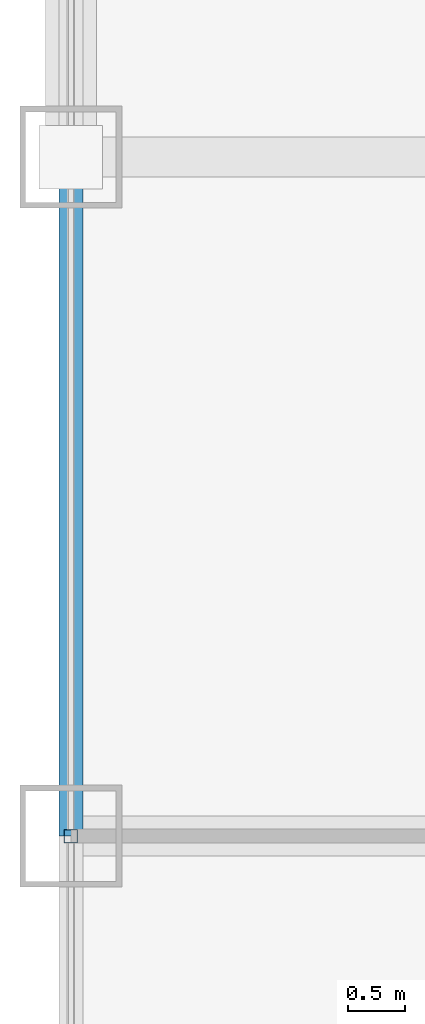
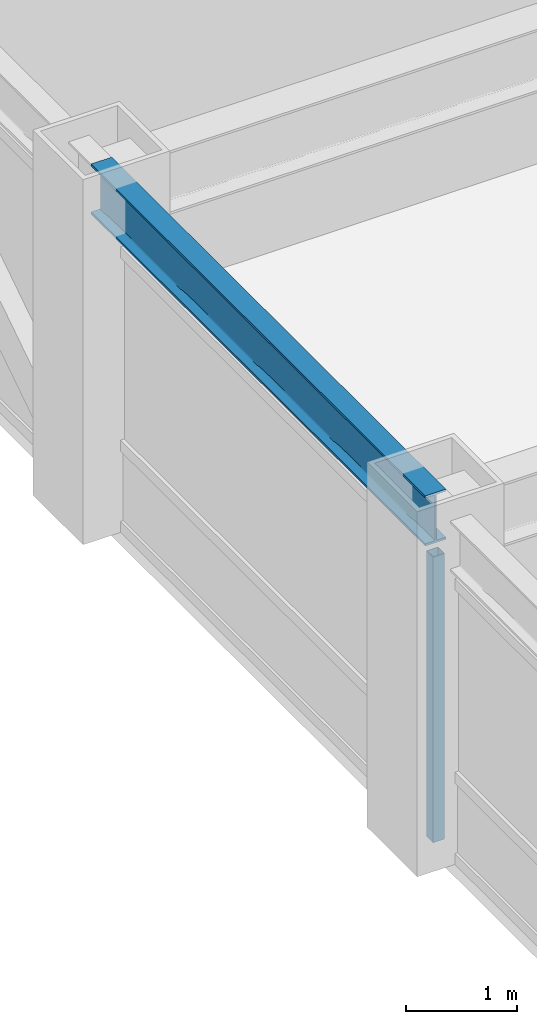
# One storey, part 6 of 27: 1 beam, 1 member, 1 element without a shape of its own.
"""IFC4 building model written with IfcOpenShell, lengths in metres."""

from ifc_helpers import new_model, si_unit, direction, frame, origin, origin_2d, place, context, subcontext, project, spatial, hollow_rectangle, i_section, extrude, source, transform, mapped, material, material_profile, profile_set, type_object, element, aggregate, save


model = new_model("IFC4")

# Units and contexts
model_context = context("Model", 3, precision=1e-05, world=origin(), true_north=direction((0.0, 1.0)))
body_context = subcontext(model_context, "Body", "Model", "MODEL_VIEW")
ifc_project = project(units=[si_unit("LENGTHUNIT", "METRE"), si_unit("AREAUNIT", "SQUARE_METRE"), si_unit("VOLUMEUNIT", "CUBIC_METRE"), si_unit("PLANEANGLEUNIT", "RADIAN"), si_unit("MASSUNIT", "GRAM", prefix="KILO")], contexts=[model_context])

# Site, building, storey
site_placement = place(None, origin())
site = spatial("IfcSite", under=ifc_project, at=site_placement, CompositionType="ELEMENT")
building_placement = place(site_placement, origin())
building = spatial("IfcBuilding", under=site, at=building_placement, Name="Khorayat Bourse Tower", CompositionType="ELEMENT")
storey_placement = place(building_placement, frame((0.0, 0.0, 313.5)))
storey = spatial("IfcBuildingStorey", under=building, at=storey_placement, Name="L74", CompositionType="ELEMENT", Elevation=313.5)

# Beam
ifc_material_1 = material(Name="Steel ASTM A992 Grade 50", Category="steel")
ifc_material_profile_1 = material_profile(ifc_material_1, i_section(OverallWidth=0.214111328125, OverallDepth=0.549072265625, WebThickness=0.0146484375, FlangeThickness=0.023681640625, FilletRadius=0.013916015625, at=origin_2d()), Name="W530X138")
ifc_profile_set_1 = profile_set([ifc_material_profile_1], Name="Steel ASTM A992 Grade 50")
beam_type = type_object("IfcBeamType", Name="BM-SPAN-530", PredefinedType="SPANDREL", material=ifc_profile_set_1)
shared_shape_1 = source(origin(), body_context, "Body", "SweptSolid", [
    extrude(i_section(OverallWidth=0.214111328125, OverallDepth=0.549072265625, WebThickness=0.0146484375, FlangeThickness=0.023681640625, FilletRadius=0.013916015625, at=origin_2d()), origin(), (0.0, 0.0, 1.0), 6.0),
])
beam_placement = place(storey_placement, frame((-28.0, 0.0, 3.505615234375), z_axis=(0.0, 1.0, 0.0), x_axis=(-1.0, 0.0, 0.0)))
element("IfcBeam", 1, at=beam_placement, inside=storey, type_object=beam_type, Name="L74 BM-SPAN-530 BM-L74-SPN-057", PredefinedType="SPANDREL", context=body_context, shape_type="MappedRepresentation", body=[
    mapped(shared_shape_1, transform((0.0, 0.0, 0.0), scale=1.0)),
])

# Curtain wall, member
ifc_material_2 = material(Name="Aluminium EN AW-6063 T6", Category="aluminium")
curtain_wall_type = type_object("IfcCurtainWallType", Name="CW-SYS-04", PredefinedType="NOTDEFINED", material=ifc_material_2)
curtain_wall_placement = place(storey_placement, origin())
curtain_wall = element("IfcCurtainWall", 2, at=curtain_wall_placement, inside=storey, type_object=curtain_wall_type, Name="L74 Curtain Wall CW-L74-W1", PredefinedType="NOTDEFINED")
ifc_material_profile_2 = material_profile(ifc_material_2, hollow_rectangle(XDim=0.1201171875, YDim=0.1201171875, WallThickness=0.0048828125, at=origin_2d()), Name="ALU 120x120x5")
ifc_profile_set_2 = profile_set([ifc_material_profile_2], Name="Aluminium EN AW-6063 T6")
member_type = type_object("IfcMemberType", Name="CWM-VERT-120", PredefinedType="MULLION", material=ifc_profile_set_2)
shared_shape_2 = source(origin(), body_context, "Body", "SweptSolid", [
    extrude(hollow_rectangle(XDim=0.1201171875, YDim=0.1201171875, WallThickness=0.0048828125, at=origin_2d()), origin(), (0.0, 0.0, 1.0), 3.1298828125),
])
member_placement = place(storey_placement, frame((-28.0, 0.0, 0.0), z_axis=(0.0, 0.0, 1.0), x_axis=(-1.0, 0.0, 0.0)))
member = element("IfcMember", 3, at=member_placement, type_object=member_type, Name="CW-L74-W1 Vertical Mullion 2", PredefinedType="MULLION", context=body_context, shape_type="MappedRepresentation", body=[
    mapped(shared_shape_2, transform((0.0, 0.0, 0.0), scale=1.0)),
])
aggregate(curtain_wall, [member])

save(model, "model.ifc")
